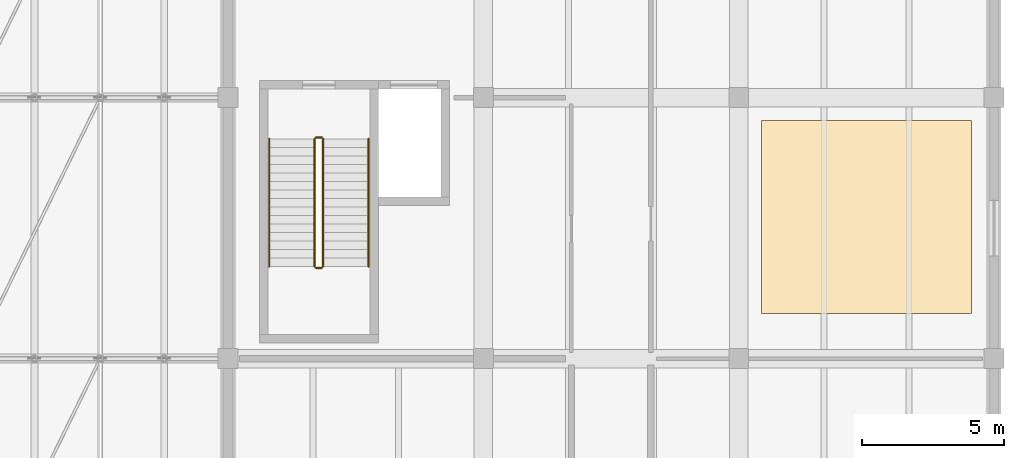
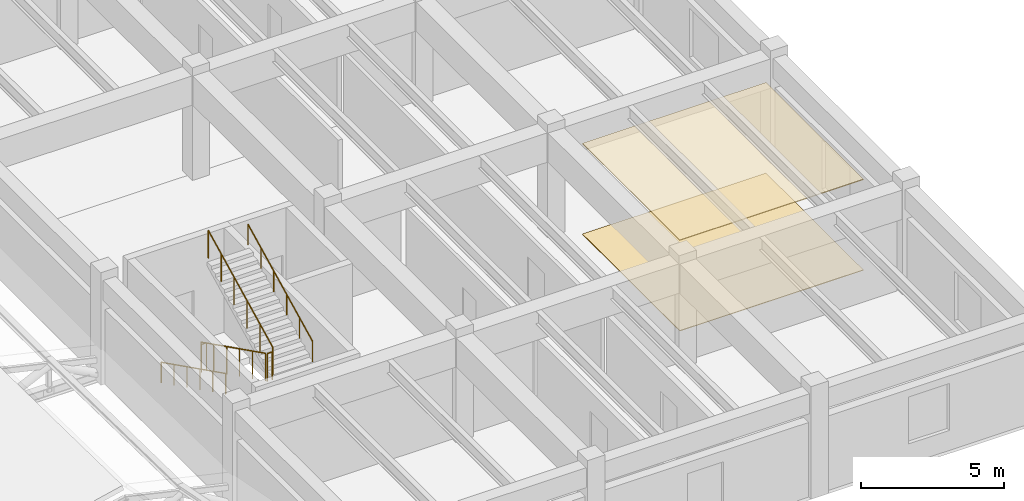
# One storey, part 90 of 90: 6 railings, 2 coverings.
"""IFC4 building model written with IfcOpenShell, lengths in metres."""

from ifc_helpers import new_model, si_unit, direction, frame, origin, origin_2d, place, context, subcontext, project, spatial, polyline, circle, outline, extrude, material, layer, layer_set, type_object, element, save


model = new_model("IFC4")

# Units and contexts
model_context = context("Model", 3, precision=1e-05, world=origin(), true_north=direction((0.0, 1.0)))
body_context = subcontext(model_context, "Body", "Model", "MODEL_VIEW")
ifc_project = project(units=[si_unit("LENGTHUNIT", "METRE"), si_unit("AREAUNIT", "SQUARE_METRE"), si_unit("VOLUMEUNIT", "CUBIC_METRE"), si_unit("PLANEANGLEUNIT", "RADIAN"), si_unit("MASSUNIT", "GRAM", prefix="KILO")], contexts=[model_context])

# Site, building, storey
site_placement = place(None, origin())
site = spatial("IfcSite", under=ifc_project, at=site_placement, CompositionType="ELEMENT")
building_placement = place(site_placement, origin())
building = spatial("IfcBuilding", under=site, at=building_placement, Name="Bozkorgan Art Gallery", CompositionType="ELEMENT")
storey_placement = place(building_placement, frame((0.0, 0.0, 5.39990234375)))
storey = spatial("IfcBuildingStorey", under=building, at=storey_placement, Name="L01", CompositionType="ELEMENT", Elevation=5.39990234375)

# Coverings
ifc_material_1 = material(Name="Micro-Perforated Acoustic Gypsum Board")
ifc_layer_1 = layer(ifc_material_1, 0.034912109375, Name="Micro-Perforated Acoustic Gypsum Board")
ifc_layer_set_1 = layer_set([ifc_layer_1], Name="Micro-Perforated Acoustic Gypsum Board")
covering_type_1 = type_object("IfcCoveringType", Name="COV-CEIL-01", PredefinedType="CEILING", material=ifc_layer_set_1)
covering_1_placement = place(storey_placement, frame((0.0, 0.0, 3.85498046875)))
element("IfcCovering", 1, at=covering_1_placement, inside=storey, type_object=covering_type_1, Name="V5 L01 acoustic gallery ceiling 8", PredefinedType="CEILING", context=body_context, shape_type="SweptSolid", body=[
    extrude(outline(polyline([(155.800048828125, 76.800048828125), (163.199951171875, 76.800048828125), (163.199951171875, 83.60009765625), (155.800048828125, 83.60009765625), (155.800048828125, 76.800048828125)])), origin(), (0.0, 0.0, 1.0), 0.03515625),
])
ifc_material_2 = material(Name="Polished Kordai Granite Terrazzo", Category="masonry")
ifc_layer_2 = layer(ifc_material_2, 0.02490234375, Name="Polished Kordai Granite Terrazzo")
ifc_layer_set_2 = layer_set([ifc_layer_2], Name="Polished Kordai Granite Terrazzo")
covering_type_2 = type_object("IfcCoveringType", Name="COV-FLR-01", PredefinedType="FLOORING", material=ifc_layer_set_2)
covering_2_placement = place(storey_placement, origin())
element("IfcCovering", 2, at=covering_2_placement, inside=storey, type_object=covering_type_2, Name="V5 L01 terrazzo gallery flooring 8", PredefinedType="FLOORING", context=body_context, shape_type="SweptSolid", body=[
    extrude(outline(polyline([(155.800048828125, 76.800048828125), (163.199951171875, 76.800048828125), (163.199951171875, 83.60009765625), (155.800048828125, 83.60009765625), (155.800048828125, 76.800048828125)])), origin(), (0.0, 0.0, 1.0), 0.025146484375),
])

# Railings
ifc_material_3 = material(Name="Steel S355J2", Category="steel")
railing_type_1 = type_object("IfcRailingType", Name="RAIL-GRD-115", PredefinedType="GUARDRAIL", material=ifc_material_3)
railing_1_placement = place(storey_placement, frame((140.050048828125, 82.949951171875, 0.150146484375)))
element("IfcRailing", 3, at=railing_1_placement, inside=storey, type_object=railing_type_1, Name="L01 ST3 stair guard 1", PredefinedType="GUARDRAIL", context=body_context, shape_type="SweptSolid", body=[
    extrude(circle(Radius=0.02392578125, at=origin_2d()), frame((0.0, 0.0, 1.17578125), z_axis=(0.0, -0.894427191, 0.4472135955), x_axis=(1.0, 0.0, 0.0)), (0.0, 0.0, 1.0), 5.03125),
    extrude(circle(Radius=0.02099609375, at=origin_2d()), origin(), (0.0, 0.0, 1.0), 1.15185546875),
    extrude(circle(Radius=0.02099609375, at=origin_2d()), frame((0.0, -0.89990234375, 0.449951171875)), (0.0, 0.0, 1.0), 1.15185546875),
    extrude(circle(Radius=0.02099609375, at=origin_2d()), frame((0.0, -1.800048828125, 0.89990234375)), (0.0, 0.0, 1.0), 1.15185546875),
    extrude(circle(Radius=0.02099609375, at=origin_2d()), frame((0.0, -2.699951171875, 1.35009765625)), (0.0, 0.0, 1.0), 1.15185546875),
    extrude(circle(Radius=0.02099609375, at=origin_2d()), frame((0.0, -3.60009765625, 1.800048828125)), (0.0, 0.0, 1.0), 1.15185546875),
    extrude(circle(Radius=0.02099609375, at=origin_2d()), frame((0.0, -4.5, 2.25)), (0.0, 0.0, 1.0), 1.15185546875),
])
railing_2_placement = place(storey_placement, frame((140.10009765625, 78.39990234375, 2.400146484375)))
element("IfcRailing", 4, at=railing_2_placement, inside=storey, type_object=railing_type_1, Name="L01 ST3 stair guard 2", PredefinedType="GUARDRAIL", context=body_context, shape_type="SweptSolid", body=[
    extrude(circle(Radius=0.02392578125, at=origin_2d()), frame((0.0, 0.0, 1.17578125), z_axis=(1.0, 0.0, 0.0), x_axis=(0.0, 1.0, 0.0)), (0.0, 0.0, 1.0), 0.199951171875),
    extrude(circle(Radius=0.02099609375, at=origin_2d()), origin(), (0.0, 0.0, 1.0), 1.15185546875),
    extrude(circle(Radius=0.02099609375, at=origin_2d()), frame((0.199951171875, 0.0, 0.0)), (0.0, 0.0, 1.0), 1.15185546875),
])
railing_3_placement = place(storey_placement, frame((140.35009765625, 78.449951171875, 2.550048828125)))
element("IfcRailing", 5, at=railing_3_placement, inside=storey, type_object=railing_type_1, Name="L01 ST3 stair guard 3", PredefinedType="GUARDRAIL", context=body_context, shape_type="SweptSolid", body=[
    extrude(circle(Radius=0.02392578125, at=origin_2d()), frame((0.0, 0.0, 1.17578125), z_axis=(0.0, 0.894427191, 0.4472135955), x_axis=(-1.0, 0.0, 0.0)), (0.0, 0.0, 1.0), 5.03125),
    extrude(circle(Radius=0.02099609375, at=origin_2d()), origin(), (0.0, 0.0, 1.0), 1.15185546875),
    extrude(circle(Radius=0.02099609375, at=origin_2d()), frame((0.0, 0.89990234375, 0.449951171875)), (0.0, 0.0, 1.0), 1.15185546875),
    extrude(circle(Radius=0.02099609375, at=origin_2d()), frame((0.0, 1.800048828125, 0.89990234375)), (0.0, 0.0, 1.0), 1.15185546875),
    extrude(circle(Radius=0.02099609375, at=origin_2d()), frame((0.0, 2.699951171875, 1.35009765625)), (0.0, 0.0, 1.0), 1.15185546875),
    extrude(circle(Radius=0.02099609375, at=origin_2d()), frame((0.0, 3.60009765625, 1.800048828125)), (0.0, 0.0, 1.0), 1.15185546875),
    extrude(circle(Radius=0.02099609375, at=origin_2d()), frame((0.0, 4.5, 2.25)), (0.0, 0.0, 1.0), 1.15185546875),
])
railing_4_placement = place(storey_placement, frame((140.10009765625, 83.0, 0.0)))
element("IfcRailing", 6, at=railing_4_placement, inside=storey, type_object=railing_type_1, Name="L01 ST3 stair guard 4", PredefinedType="GUARDRAIL", context=body_context, shape_type="SweptSolid", body=[
    extrude(circle(Radius=0.02392578125, at=origin_2d()), frame((0.0, 0.0, 1.17578125), z_axis=(1.0, 0.0, 0.0), x_axis=(0.0, 1.0, 0.0)), (0.0, 0.0, 1.0), 0.199951171875),
    extrude(circle(Radius=0.02099609375, at=origin_2d()), origin(), (0.0, 0.0, 1.0), 1.15185546875),
    extrude(circle(Radius=0.02099609375, at=origin_2d()), frame((0.199951171875, 0.0, 0.0)), (0.0, 0.0, 1.0), 1.15185546875),
])
railing_type_2 = type_object("IfcRailingType", Name="RAIL-HND-092", PredefinedType="HANDRAIL", material=ifc_material_3)
railing_5_placement = place(storey_placement, frame((138.449951171875, 82.949951171875, 0.150146484375)))
element("IfcRailing", 7, at=railing_5_placement, inside=storey, type_object=railing_type_2, Name="L01 ST3 stair handrail 1", PredefinedType="HANDRAIL", context=body_context, shape_type="SweptSolid", body=[
    extrude(circle(Radius=0.02392578125, at=origin_2d()), frame((0.0, 0.0, 0.8759765625), z_axis=(0.0, -0.894427191, 0.4472135955), x_axis=(1.0, 0.0, 0.0)), (0.0, 0.0, 1.0), 5.03125),
    extrude(circle(Radius=0.02099609375, at=origin_2d()), origin(), (0.0, 0.0, 1.0), 0.851806640625),
    extrude(circle(Radius=0.02099609375, at=origin_2d()), frame((0.0, -0.89990234375, 0.449951171875)), (0.0, 0.0, 1.0), 0.851806640625),
    extrude(circle(Radius=0.02099609375, at=origin_2d()), frame((0.0, -1.800048828125, 0.89990234375)), (0.0, 0.0, 1.0), 0.851806640625),
    extrude(circle(Radius=0.02099609375, at=origin_2d()), frame((0.0, -2.699951171875, 1.35009765625)), (0.0, 0.0, 1.0), 0.851806640625),
    extrude(circle(Radius=0.02099609375, at=origin_2d()), frame((0.0, -3.60009765625, 1.800048828125)), (0.0, 0.0, 1.0), 0.851806640625),
    extrude(circle(Radius=0.02099609375, at=origin_2d()), frame((0.0, -4.5, 2.25)), (0.0, 0.0, 1.0), 0.851806640625),
])
railing_6_placement = place(storey_placement, frame((141.949951171875, 78.449951171875, 2.550048828125)))
element("IfcRailing", 8, at=railing_6_placement, inside=storey, type_object=railing_type_2, Name="L01 ST3 stair handrail 2", PredefinedType="HANDRAIL", context=body_context, shape_type="SweptSolid", body=[
    extrude(circle(Radius=0.02392578125, at=origin_2d()), frame((0.0, 0.0, 0.8759765625), z_axis=(0.0, 0.894427191, 0.4472135955), x_axis=(-1.0, 0.0, 0.0)), (0.0, 0.0, 1.0), 5.03125),
    extrude(circle(Radius=0.02099609375, at=origin_2d()), origin(), (0.0, 0.0, 1.0), 0.851806640625),
    extrude(circle(Radius=0.02099609375, at=origin_2d()), frame((0.0, 0.89990234375, 0.449951171875)), (0.0, 0.0, 1.0), 0.851806640625),
    extrude(circle(Radius=0.02099609375, at=origin_2d()), frame((0.0, 1.800048828125, 0.89990234375)), (0.0, 0.0, 1.0), 0.851806640625),
    extrude(circle(Radius=0.02099609375, at=origin_2d()), frame((0.0, 2.699951171875, 1.35009765625)), (0.0, 0.0, 1.0), 0.851806640625),
    extrude(circle(Radius=0.02099609375, at=origin_2d()), frame((0.0, 3.60009765625, 1.800048828125)), (0.0, 0.0, 1.0), 0.851806640625),
    extrude(circle(Radius=0.02099609375, at=origin_2d()), frame((0.0, 4.5, 2.25)), (0.0, 0.0, 1.0), 0.851806640625),
])

save(model, "model.ifc")
